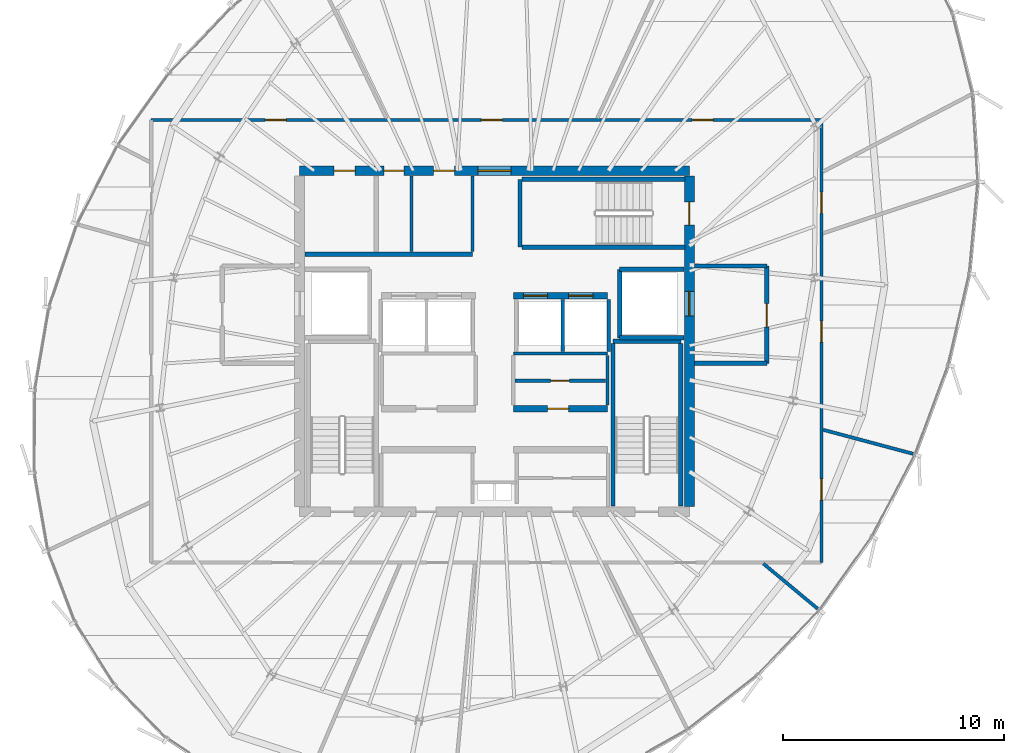
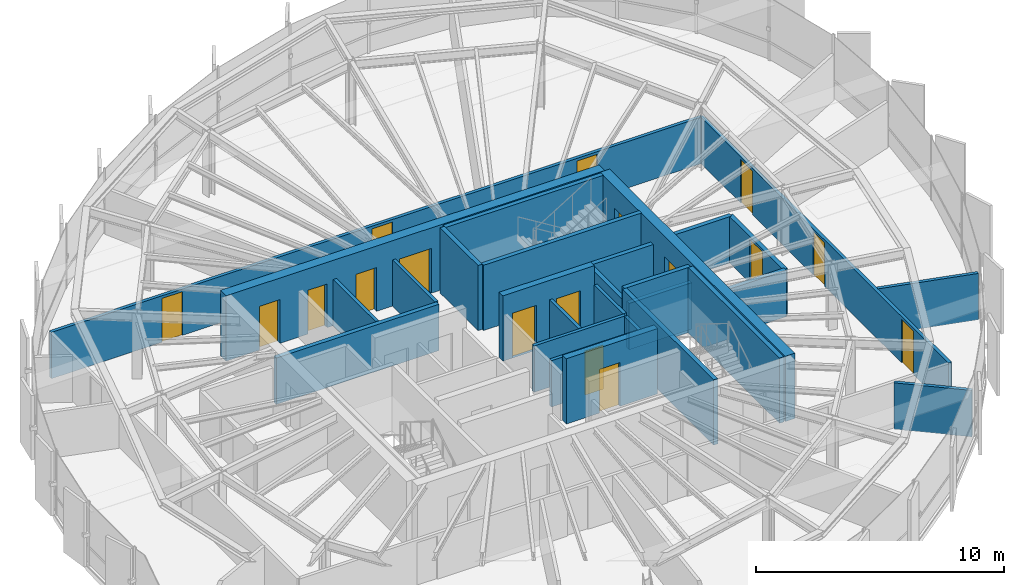
# One storey, part 28 of 33: 28 walls, 17 doors, 17 openings.
"""IFC4 building model written with IfcOpenShell, lengths in metres."""

from ifc_helpers import new_model, si_unit, direction, frame, frame_2d, origin, place, context, subcontext, project, spatial, rectangle, extrude, source, transform, mapped, material, layer, layer_set, type_object, element, fill, save


model = new_model("IFC4")

# Units and contexts
model_context = context("Model", 3, precision=1e-05, world=origin(), true_north=direction((0.0, 1.0)))
body_context = subcontext(model_context, "Body", "Model", "MODEL_VIEW")
ifc_project = project(units=[si_unit("LENGTHUNIT", "METRE"), si_unit("AREAUNIT", "SQUARE_METRE"), si_unit("VOLUMEUNIT", "CUBIC_METRE"), si_unit("PLANEANGLEUNIT", "RADIAN"), si_unit("MASSUNIT", "GRAM", prefix="KILO"), si_unit("THERMODYNAMICTEMPERATUREUNIT", "KELVIN")], contexts=[model_context])

# Site, building, storey
site_placement = place(None, origin())
site = spatial("IfcSite", under=ifc_project, at=site_placement, CompositionType="ELEMENT")
building_placement = place(site_placement, origin())
building = spatial("IfcBuilding", under=site, at=building_placement, Name="Kethvar Cultural Tower", CompositionType="ELEMENT")
storey_placement = place(building_placement, frame((0.0, 0.0, 238.75)))
storey = spatial("IfcBuildingStorey", under=building, at=storey_placement, Name="L62", CompositionType="ELEMENT", Elevation=238.75)

# Wall, openings, doors
ifc_material_1 = material(Name="Concrete C50/60", Category="concrete")
ifc_layer_1 = layer(ifc_material_1, 0.449951171875, Name="Concrete C50/60", Category="concrete")
ifc_layer_set_1 = layer_set([ifc_layer_1], Name="Concrete C50/60 (450 mm)")
wall_type_1 = type_object("IfcWallType", Name="WL-CORE-450", PredefinedType="SHEAR", material=ifc_layer_set_1)
wall_1_placement = place(storey_placement, frame((55.60009765625, 35.5, 0.0), z_axis=(0.0, 0.0, 1.0), x_axis=(-1.0, 0.0, 0.0)))
wall_1 = element("IfcWall", 1, at=wall_1_placement, inside=storey, type_object=wall_type_1, Name="L62 Core Shear Wall N", PredefinedType="SHEAR", context=body_context, shape_type="SweptSolid", body=[
    extrude(rectangle(XDim=17.60009765625, YDim=0.449951171875, at=frame_2d((8.800048828125, 0.0))), origin(), (0.0, 0.0, 1.0), 3.2099609375),
])
opening_1_placement = place(wall_1_placement, frame((8.050048828125, 0.0, 0.0)))
opening_1 = element("IfcOpeningElement", 2, at=opening_1_placement, cuts=wall_1, Name="Opening D-L62-LN", PredefinedType="OPENING", context=body_context, shape_type="SweptSolid", body=[
    extrude(rectangle(XDim=1.5, YDim=2.199951171875, at=frame_2d((0.75, 1.10009765625))), frame((0.0, 0.23486328125, 0.0), z_axis=(0.0, -1.0, 0.0), x_axis=(1.0, 0.0, 0.0)), (0.0, 0.0, 1.0), 0.469970703125),
])
opening_2_placement = place(wall_1_placement, frame((15.10009765625, 0.0, 0.0)))
opening_2 = element("IfcOpeningElement", 3, at=opening_2_placement, cuts=wall_1, Name="Opening D-L62-E1", PredefinedType="OPENING", context=body_context, shape_type="SweptSolid", body=[
    extrude(rectangle(XDim=0.949951171875, YDim=2.14990234375, at=frame_2d((0.47509765625, 1.074951171875))), frame((0.0, 0.23486328125, 0.0), z_axis=(0.0, -1.0, 0.0), x_axis=(1.0, 0.0, 0.0)), (0.0, 0.0, 1.0), 0.469970703125),
])
opening_3_placement = place(wall_1_placement, frame((12.89990234375, 0.0, 0.0)))
opening_3 = element("IfcOpeningElement", 4, at=opening_3_placement, cuts=wall_1, Name="Opening D-L62-W1", PredefinedType="OPENING", context=body_context, shape_type="SweptSolid", body=[
    extrude(rectangle(XDim=0.89990234375, YDim=2.14990234375, at=frame_2d((0.449951171875, 1.074951171875))), frame((0.0, 0.23486328125, 0.0), z_axis=(0.0, -1.0, 0.0), x_axis=(1.0, 0.0, 0.0)), (0.0, 0.0, 1.0), 0.469970703125),
])
opening_4_placement = place(wall_1_placement, frame((10.60009765625, 0.0, 0.0)))
opening_4 = element("IfcOpeningElement", 5, at=opening_4_placement, cuts=wall_1, Name="Opening D-L62-W2", PredefinedType="OPENING", context=body_context, shape_type="SweptSolid", body=[
    extrude(rectangle(XDim=0.949951171875, YDim=2.14990234375, at=frame_2d((0.47509765625, 1.074951171875))), frame((0.0, 0.23486328125, 0.0), z_axis=(0.0, -1.0, 0.0), x_axis=(1.0, 0.0, 0.0)), (0.0, 0.0, 1.0), 0.469970703125),
])
ifc_material_2 = material(Name="Architectural Oak Timber", Category="wood")
door_type_1 = type_object("IfcDoorType", Name="DR-DBL-FD60-1500", OperationType="DOUBLE_DOOR_SINGLE_SWING", PredefinedType="DOOR", material=ifc_material_2)
shared_shape_1 = source(origin(), body_context, "Body", "SweptSolid", [
    extrude(rectangle(XDim=1.5, YDim=2.199951171875, at=frame_2d((0.75, 1.10009765625))), frame((0.0, 0.02490234375, 0.0), z_axis=(0.0, -1.0, 0.0), x_axis=(1.0, 0.0, 0.0)), (0.0, 0.0, 1.0), 0.050048828125),
])
door_1_placement = place(opening_1_placement, origin())
door_1 = element("IfcDoor", 6, at=door_1_placement, inside=storey, type_object=door_type_1, Name="L62 Lift Lobby Concourse Door", OperationType="DOUBLE_DOOR_SINGLE_SWING", OverallHeight=2.199951171875, OverallWidth=1.5, PredefinedType="DOOR", context=body_context, shape_type="MappedRepresentation", body=[
    mapped(shared_shape_1, transform((0.0, 0.0, 0.0), scale=1.0)),
])
fill(opening_1, door_1)
door_type_2 = type_object("IfcDoorType", Name="DR-FD30-950", OperationType="NOTDEFINED", PredefinedType="DOOR", material=ifc_material_2)
shared_shape_2 = source(origin(), body_context, "Body", "SweptSolid", [
    extrude(rectangle(XDim=0.949951171875, YDim=2.14990234375, at=frame_2d((0.47509765625, 1.074951171875))), frame((0.0, 0.02490234375, 0.0), z_axis=(0.0, -1.0, 0.0), x_axis=(1.0, 0.0, 0.0)), (0.0, 0.0, 1.0), 0.050048828125),
])
door_2_placement = place(opening_2_placement, origin())
door_2 = element("IfcDoor", 7, at=door_2_placement, inside=storey, type_object=door_type_2, Name="L62 Electrical Switchgear Door", OperationType="SINGLE_SWING_RIGHT", OverallHeight=2.14990234375, OverallWidth=0.949951171875, PredefinedType="DOOR", context=body_context, shape_type="MappedRepresentation", body=[
    mapped(shared_shape_2, transform((0.0, 0.0, 0.0), scale=1.0)),
])
fill(opening_2, door_2)
door_3_placement = place(opening_4_placement, origin())
door_3 = element("IfcDoor", 8, at=door_3_placement, inside=storey, type_object=door_type_2, Name="L62 Public Washroom Door", OperationType="SINGLE_SWING_RIGHT", OverallHeight=2.14990234375, OverallWidth=0.949951171875, PredefinedType="DOOR", context=body_context, shape_type="MappedRepresentation", body=[
    mapped(shared_shape_2, transform((0.0, 0.0, 0.0), scale=1.0)),
])
fill(opening_4, door_3)
door_type_3 = type_object("IfcDoorType", Name="DR-FD30-900", OperationType="NOTDEFINED", PredefinedType="DOOR", material=ifc_material_2)
shared_shape_3 = source(origin(), body_context, "Body", "SweptSolid", [
    extrude(rectangle(XDim=0.89990234375, YDim=2.14990234375, at=frame_2d((0.449951171875, 1.074951171875))), frame((0.0, 0.02490234375, 0.0), z_axis=(0.0, -1.0, 0.0), x_axis=(1.0, 0.0, 0.0)), (0.0, 0.0, 1.0), 0.050048828125),
])
door_4_placement = place(opening_3_placement, origin())
door_4 = element("IfcDoor", 9, at=door_4_placement, inside=storey, type_object=door_type_3, Name="L62 Accessible Washroom Door", OperationType="SINGLE_SWING_LEFT", OverallHeight=2.14990234375, OverallWidth=0.89990234375, PredefinedType="DOOR", context=body_context, shape_type="MappedRepresentation", body=[
    mapped(shared_shape_3, transform((0.0, 0.0, 0.0), scale=1.0)),
])
fill(opening_3, door_4)

wall_2_placement = place(storey_placement, frame((55.60009765625, 20.340087890625, 0.0), z_axis=(0.0, 0.0, 1.0), x_axis=(0.0, 1.0, 0.0)))
wall_2 = element("IfcWall", 10, at=wall_2_placement, inside=storey, type_object=wall_type_1, Name="L62 Core Shear Wall E", PredefinedType="SHEAR", context=body_context, shape_type="SweptSolid", body=[
    extrude(rectangle(XDim=14.919921875, YDim=0.449951171875, at=frame_2d((7.4599609375, 0.0))), origin(), (0.0, 0.0, 1.0), 3.2099609375),
])
opening_5_placement = place(wall_2_placement, frame((12.7099609375, 0.0, 0.0)))
opening_5 = element("IfcOpeningElement", 11, at=opening_5_placement, cuts=wall_2, Name="Opening D-L62-S3", PredefinedType="OPENING", context=body_context, shape_type="SweptSolid", body=[
    extrude(rectangle(XDim=1.050048828125, YDim=2.14990234375, at=frame_2d((0.52490234375, 1.074951171875))), frame((0.0, 0.23486328125, 0.0), z_axis=(0.0, -1.0, 0.0), x_axis=(1.0, 0.0, 0.0)), (0.0, 0.0, 1.0), 0.469970703125),
])
opening_6_placement = place(wall_2_placement, frame((8.610107421875, 0.0, 0.0)))
opening_6 = element("IfcOpeningElement", 12, at=opening_6_placement, cuts=wall_2, Name="Opening LD-2", PredefinedType="OPENING", context=body_context, shape_type="SweptSolid", body=[
    extrude(rectangle(XDim=1.10009765625, YDim=2.199951171875, at=frame_2d((0.550048828125, 1.10009765625))), frame((0.0, 0.23486328125, 0.0), z_axis=(0.0, -1.0, 0.0), x_axis=(1.0, 0.0, 0.0)), (0.0, 0.0, 1.0), 0.469970703125),
])
ifc_material_3 = material(Name="Steel S355J2", Category="steel")
door_type_4 = type_object("IfcDoorType", Name="DR-FD60-1050", OperationType="NOTDEFINED", PredefinedType="DOOR", material=ifc_material_3)
shared_shape_4 = source(origin(), body_context, "Body", "SweptSolid", [
    extrude(rectangle(XDim=1.050048828125, YDim=2.14990234375, at=frame_2d((0.52490234375, 1.074951171875))), frame((0.0, 0.02490234375, 0.0), z_axis=(0.0, -1.0, 0.0), x_axis=(1.0, 0.0, 0.0)), (0.0, 0.0, 1.0), 0.050048828125),
])
door_5_placement = place(opening_5_placement, origin())
door_5 = element("IfcDoor", 13, at=door_5_placement, inside=storey, type_object=door_type_4, Name="L62 Exit Stair 3 Door", OperationType="SINGLE_SWING_LEFT", OverallHeight=2.14990234375, OverallWidth=1.050048828125, PredefinedType="DOOR", context=body_context, shape_type="MappedRepresentation", body=[
    mapped(shared_shape_4, transform((0.0, 0.0, 0.0), scale=1.0)),
])
fill(opening_5, door_5)
door_type_5 = type_object("IfcDoorType", Name="DR-LIFT-SLIDE-1100", OperationType="NOTDEFINED", PredefinedType="DOOR", material=ifc_material_3)
shared_shape_5 = source(origin(), body_context, "Body", "SweptSolid", [
    extrude(rectangle(XDim=1.10009765625, YDim=2.199951171875, at=frame_2d((0.550048828125, 1.10009765625))), frame((0.0, 0.02490234375, 0.0), z_axis=(0.0, -1.0, 0.0), x_axis=(1.0, 0.0, 0.0)), (0.0, 0.0, 1.0), 0.050048828125),
])
door_6_placement = place(opening_6_placement, origin())
door_6 = element("IfcDoor", 14, at=door_6_placement, inside=storey, type_object=door_type_5, Name="L62 Firefighting Lift Landing Door FFL-02", OperationType="SLIDING_TO_RIGHT", OverallHeight=2.199951171875, OverallWidth=1.10009765625, PredefinedType="DOOR", context=body_context, shape_type="MappedRepresentation", body=[
    mapped(shared_shape_5, transform((0.0, 0.0, 0.0), scale=1.0)),
])
fill(opening_6, door_6)

# Walls
ifc_material_4 = material(Name="Gypsum Fireboard Partition")
ifc_layer_2 = layer(ifc_material_4, 0.14990234375, Name="Gypsum Fireboard Partition")
ifc_layer_set_2 = layer_set([ifc_layer_2], Name="Gypsum Fireboard Partition (150 mm)")
wall_type_2 = type_object("IfcWallType", Name="WL-FIRE-150", PredefinedType="PARTITIONING", material=ifc_layer_set_2)
wall_3_placement = place(storey_placement, frame((47.64990234375, 27.25, 0.0), z_axis=(0.0, 0.0, 1.0), x_axis=(1.0, 0.0, 0.0)))
element("IfcWall", 15, at=wall_3_placement, inside=storey, type_object=wall_type_2, Name="L62 Reclaimed Mid Wall E", PredefinedType="PARTITIONING", context=body_context, shape_type="SweptSolid", body=[
    extrude(rectangle(XDim=4.25, YDim=0.14990234375, at=frame_2d((2.125, 0.0))), origin(), (0.0, 0.0, 1.0), 2.280029296875),
])
wall_4_placement = place(storey_placement, frame((51.89990234375, 24.919921875, 0.0), z_axis=(0.0, 0.0, 1.0), x_axis=(0.0, 1.0, 0.0)))
element("IfcWall", 16, at=wall_4_placement, inside=storey, type_object=wall_type_2, Name="L62 Reclaimed Mid Outer E", PredefinedType="PARTITIONING", context=body_context, shape_type="SweptSolid", body=[
    extrude(rectangle(XDim=2.239990234375, YDim=0.14990234375, at=frame_2d((1.1201171875, 0.0))), origin(), (0.0, 0.0, 1.0), 2.280029296875),
])

# Wall, opening, door
wall_5_placement = place(storey_placement, frame((47.72998046875, 26.010009765625, 0.0), z_axis=(0.0, 0.0, 1.0), x_axis=(1.0, 0.0, 0.0)))
wall_5 = element("IfcWall", 17, at=wall_5_placement, inside=storey, type_object=wall_type_2, Name="L62 Mid Gallery Wall E", PredefinedType="PARTITIONING", context=body_context, shape_type="SweptSolid", body=[
    extrude(rectangle(XDim=4.090087890625, YDim=0.14990234375, at=frame_2d((2.044921875, 0.0))), origin(), (0.0, 0.0, 1.0), 2.280029296875),
])
opening_7_placement = place(wall_5_placement, frame((1.60009765625, 0.0, 0.0)))
opening_7 = element("IfcOpeningElement", 18, at=opening_7_placement, cuts=wall_5, Name="Opening D-L62-M3", PredefinedType="OPENING", context=body_context, shape_type="SweptSolid", body=[
    extrude(rectangle(XDim=0.85009765625, YDim=2.14990234375, at=frame_2d((0.425048828125, 1.074951171875))), frame((0.0, 0.0849609375, 0.0), z_axis=(0.0, -1.0, 0.0), x_axis=(1.0, 0.0, 0.0)), (0.0, 0.0, 1.0), 0.169921875),
])
door_type_6 = type_object("IfcDoorType", Name="DR-FD30-850", OperationType="NOTDEFINED", PredefinedType="DOOR", material=ifc_material_3)
shared_shape_6 = source(origin(), body_context, "Body", "SweptSolid", [
    extrude(rectangle(XDim=0.85009765625, YDim=2.14990234375, at=frame_2d((0.425048828125, 1.074951171875))), frame((0.0, 0.02490234375, 0.0), z_axis=(0.0, -1.0, 0.0), x_axis=(1.0, 0.0, 0.0)), (0.0, 0.0, 1.0), 0.050048828125),
])
door_7_placement = place(opening_7_placement, origin())
door_7 = element("IfcDoor", 19, at=door_7_placement, inside=storey, type_object=door_type_6, Name="L62 UPS Inner Door", OperationType="SINGLE_SWING_RIGHT", OverallHeight=2.14990234375, OverallWidth=0.85009765625, PredefinedType="DOOR", context=body_context, shape_type="MappedRepresentation", body=[
    mapped(shared_shape_6, transform((0.0, 0.0, 0.0), scale=1.0)),
])
fill(opening_7, door_7)

# Walls
for number, where, z_axis, x_axis, name in (
    (20, (49.875, 27.340087890625, 0.0), (0.0, 0.0, 1.0), (0.0, 1.0, 0.0), "L62 High-Rise Lift Shaft Divider E"),
    (21, (51.949951171875, 27.340087890625, 0.0), (0.0, 0.0, 1.0), (0.0, 1.0, 0.0), "L62 High-Rise Lift Shaft Outer Wall E"),
):
    element("IfcWall", number, at=place(storey_placement, frame(where, z_axis=z_axis, x_axis=x_axis)), inside=storey, type_object=wall_type_2, Name=name, PredefinedType="PARTITIONING", context=body_context, shape_type="SweptSolid", body=[
        extrude(rectangle(XDim=2.33984375, YDim=0.14990234375, at=frame_2d((1.169921875, 0.0))), origin(), (0.0, 0.0, 1.0), 2.280029296875),
    ])
wall_6_placement = place(storey_placement, frame((45.800048828125, 31.85009765625, 0.0), z_axis=(0.0, 0.0, 1.0), x_axis=(0.0, 1.0, 0.0)))
element("IfcWall", 22, at=wall_6_placement, inside=storey, type_object=wall_type_2, Name="L62 Sanitary Spine Wall", PredefinedType="PARTITIONING", context=body_context, shape_type="SweptSolid", body=[
    extrude(rectangle(XDim=3.414794921875, YDim=0.14990234375, at=frame_2d((1.70751953125, 0.0))), origin(), (0.0, 0.0, 1.0), 2.280029296875),
])

# Wall, openings, doors
wall_7_placement = place(storey_placement, frame((61.56396484375, 17.806884765625, 0.0), z_axis=(0.0, 0.0, 1.0), x_axis=(0.0, 1.0, 0.0)))
wall_7 = element("IfcWall", 23, at=wall_7_placement, inside=storey, type_object=wall_type_2, Name="L62 Corridor Rated Wall E", PredefinedType="PARTITIONING", context=body_context, shape_type="SweptSolid", body=[
    extrude(rectangle(XDim=19.986083984375, YDim=0.14990234375, at=frame_2d((9.9931640625, 0.0))), origin(), (0.0, 0.0, 1.0), 2.280029296875),
])
opening_8_placement = place(wall_7_placement, frame((2.822509765625, 0.0, 0.0)))
opening_8 = element("IfcOpeningElement", 24, at=opening_8_placement, cuts=wall_7, Name="Opening D-L62-05", PredefinedType="OPENING", context=body_context, shape_type="SweptSolid", body=[
    extrude(rectangle(XDim=0.949951171875, YDim=2.14990234375, at=frame_2d((0.47509765625, 1.074951171875))), frame((0.0, 0.0849609375, 0.0), z_axis=(0.0, -1.0, 0.0), x_axis=(1.0, 0.0, 0.0)), (0.0, 0.0, 1.0), 0.169921875),
])
opening_9_placement = place(wall_7_placement, frame((9.95703125, 0.0, 0.0)))
opening_9 = element("IfcOpeningElement", 25, at=opening_9_placement, cuts=wall_7, Name="Opening D-L62-06", PredefinedType="OPENING", context=body_context, shape_type="SweptSolid", body=[
    extrude(rectangle(XDim=0.949951171875, YDim=2.14990234375, at=frame_2d((0.47509765625, 1.074951171875))), frame((0.0, 0.0849609375, 0.0), z_axis=(0.0, -1.0, 0.0), x_axis=(1.0, 0.0, 0.0)), (0.0, 0.0, 1.0), 0.169921875),
])
opening_10_placement = place(wall_7_placement, frame((15.774169921875, 0.0, 0.0)))
opening_10 = element("IfcOpeningElement", 26, at=opening_10_placement, cuts=wall_7, Name="Opening D-L62-07", PredefinedType="OPENING", context=body_context, shape_type="SweptSolid", body=[
    extrude(rectangle(XDim=0.949951171875, YDim=2.14990234375, at=frame_2d((0.47509765625, 1.074951171875))), frame((0.0, 0.0849609375, 0.0), z_axis=(0.0, -1.0, 0.0), x_axis=(1.0, 0.0, 0.0)), (0.0, 0.0, 1.0), 0.169921875),
])
door_8_placement = place(opening_8_placement, origin())
door_8 = element("IfcDoor", 27, at=door_8_placement, inside=storey, type_object=door_type_2, Name="L62 Curatorial Administration Office 05 Door", OperationType="SINGLE_SWING_LEFT", OverallHeight=2.14990234375, OverallWidth=0.949951171875, PredefinedType="DOOR", context=body_context, shape_type="MappedRepresentation", body=[
    mapped(shared_shape_2, transform((0.0, 0.0, 0.0), scale=1.0)),
])
fill(opening_8, door_8)
door_9_placement = place(opening_9_placement, origin())
door_9 = element("IfcDoor", 28, at=door_9_placement, inside=storey, type_object=door_type_2, Name="L62 Compact Archival Store 06 Door", OperationType="SINGLE_SWING_RIGHT", OverallHeight=2.14990234375, OverallWidth=0.949951171875, PredefinedType="DOOR", context=body_context, shape_type="MappedRepresentation", body=[
    mapped(shared_shape_2, transform((0.0, 0.0, 0.0), scale=1.0)),
])
fill(opening_9, door_9)
door_10_placement = place(opening_10_placement, origin())
door_10 = element("IfcDoor", 29, at=door_10_placement, inside=storey, type_object=door_type_2, Name="L62 Rare Folio Storage 07 Door", OperationType="SINGLE_SWING_LEFT", OverallHeight=2.14990234375, OverallWidth=0.949951171875, PredefinedType="DOOR", context=body_context, shape_type="MappedRepresentation", body=[
    mapped(shared_shape_2, transform((0.0, 0.0, 0.0), scale=1.0)),
])
fill(opening_10, door_10)

wall_8_placement = place(storey_placement, frame((61.56396484375, 37.79296875, 0.0), z_axis=(0.0, 0.0, 1.0), x_axis=(-1.0, 0.0, 0.0)))
wall_8 = element("IfcWall", 30, at=wall_8_placement, inside=storey, type_object=wall_type_2, Name="L62 Corridor Rated Wall N", PredefinedType="PARTITIONING", context=body_context, shape_type="SweptSolid", body=[
    extrude(rectangle(XDim=30.27392578125, YDim=0.14990234375, at=frame_2d((15.136962890625, 0.0))), origin(), (0.0, 0.0, 1.0), 2.280029296875),
])
opening_11_placement = place(wall_8_placement, frame((4.89404296875, 0.0, 0.0)))
opening_11 = element("IfcOpeningElement", 31, at=opening_11_placement, cuts=wall_8, Name="Opening D-L62-08", PredefinedType="OPENING", context=body_context, shape_type="SweptSolid", body=[
    extrude(rectangle(XDim=0.949951171875, YDim=2.14990234375, at=frame_2d((0.47509765625, 1.074951171875))), frame((0.0, 0.0849609375, 0.0), z_axis=(0.0, -1.0, 0.0), x_axis=(1.0, 0.0, 0.0)), (0.0, 0.0, 1.0), 0.169921875),
])
opening_12_placement = place(wall_8_placement, frame((14.41162109375, 0.0, 0.0)))
opening_12 = element("IfcOpeningElement", 32, at=opening_12_placement, cuts=wall_8, Name="Opening D-L62-09", PredefinedType="OPENING", context=body_context, shape_type="SweptSolid", body=[
    extrude(rectangle(XDim=0.949951171875, YDim=2.14990234375, at=frame_2d((0.47509765625, 1.074951171875))), frame((0.0, 0.0849609375, 0.0), z_axis=(0.0, -1.0, 0.0), x_axis=(1.0, 0.0, 0.0)), (0.0, 0.0, 1.0), 0.169921875),
])
opening_13_placement = place(wall_8_placement, frame((24.177978515625, 0.0, 0.0)))
opening_13 = element("IfcOpeningElement", 33, at=opening_13_placement, cuts=wall_8, Name="Opening D-L62-10", PredefinedType="OPENING", context=body_context, shape_type="SweptSolid", body=[
    extrude(rectangle(XDim=0.949951171875, YDim=2.14990234375, at=frame_2d((0.47509765625, 1.074951171875))), frame((0.0, 0.0849609375, 0.0), z_axis=(0.0, -1.0, 0.0), x_axis=(1.0, 0.0, 0.0)), (0.0, 0.0, 1.0), 0.169921875),
])
door_11_placement = place(opening_11_placement, origin())
door_11 = element("IfcDoor", 34, at=door_11_placement, inside=storey, type_object=door_type_2, Name="L62 Docent Espresso Pantry 08 Door", OperationType="SINGLE_SWING_RIGHT", OverallHeight=2.14990234375, OverallWidth=0.949951171875, PredefinedType="DOOR", context=body_context, shape_type="MappedRepresentation", body=[
    mapped(shared_shape_2, transform((0.0, 0.0, 0.0), scale=1.0)),
])
fill(opening_11, door_11)
door_12_placement = place(opening_12_placement, origin())
door_12 = element("IfcDoor", 35, at=door_12_placement, inside=storey, type_object=door_type_2, Name="L62 Scholars' Study Lounge 09 Door", OperationType="SINGLE_SWING_LEFT", OverallHeight=2.14990234375, OverallWidth=0.949951171875, PredefinedType="DOOR", context=body_context, shape_type="MappedRepresentation", body=[
    mapped(shared_shape_2, transform((0.0, 0.0, 0.0), scale=1.0)),
])
fill(opening_12, door_12)
door_13_placement = place(opening_13_placement, origin())
door_13 = element("IfcDoor", 36, at=door_13_placement, inside=storey, type_object=door_type_2, Name="L62 Curatorial Concierge Foyer 10 Door", OperationType="SINGLE_SWING_RIGHT", OverallHeight=2.14990234375, OverallWidth=0.949951171875, PredefinedType="DOOR", context=body_context, shape_type="MappedRepresentation", body=[
    mapped(shared_shape_2, transform((0.0, 0.0, 0.0), scale=1.0)),
])
fill(opening_13, door_13)

# Walls
ifc_material_5 = material(Name="Concrete C40/50", Category="concrete")
ifc_layer_3 = layer(ifc_material_5, 0.199951171875, Name="Concrete C40/50", Category="concrete")
ifc_layer_set_3 = layer_set([ifc_layer_3], Name="Concrete C40/50 (200 mm)")
wall_type_3 = type_object("IfcWallType", Name="WL-FIRE-200", PredefinedType="PARTITIONING", material=ifc_layer_set_3)
wall_9_placement = place(storey_placement, frame((52.449951171875, 27.949951171875, 0.0), z_axis=(0.0, 0.0, 1.0), x_axis=(0.0, 1.0, 0.0)))
element("IfcWall", 37, at=wall_9_placement, inside=storey, type_object=wall_type_3, Name="L62 FFL-02 Shaft Inner Wall", PredefinedType="PARTITIONING", context=body_context, shape_type="SweptSolid", body=[
    extrude(rectangle(XDim=3.10009765625, YDim=0.199951171875, at=frame_2d((1.550048828125, 0.0))), origin(), (0.0, 0.0, 1.0), 2.280029296875),
])
for number, where, z_axis, x_axis, name in (
    (38, (52.449951171875, 27.949951171875, 0.0), (0.0, 0.0, 1.0), (1.0, 0.0, 0.0), "L62 FFL-02 Shaft South Wall"),
    (39, (52.449951171875, 31.050048828125, 0.0), (0.0, 0.0, 1.0), (1.0, 0.0, 0.0), "L62 FFL-02 Shaft North Wall"),
):
    element("IfcWall", number, at=place(storey_placement, frame(where, z_axis=z_axis, x_axis=x_axis)), inside=storey, type_object=wall_type_3, Name=name, PredefinedType="PARTITIONING", context=body_context, shape_type="SweptSolid", body=[
        extrude(rectangle(XDim=2.9150390625, YDim=0.199951171875, at=frame_2d((1.45751953125, 0.0))), origin(), (0.0, 0.0, 1.0), 2.280029296875),
    ])

# Wall, opening, door
wall_10_placement = place(storey_placement, frame((59.10009765625, 26.800048828125, 0.0), z_axis=(0.0, 0.0, 1.0), x_axis=(0.0, 1.0, 0.0)))
wall_10 = element("IfcWall", 40, at=wall_10_placement, inside=storey, type_object=wall_type_3, Name="L62 Firefighting Lobby 2 Wall", PredefinedType="PARTITIONING", context=body_context, shape_type="SweptSolid", body=[
    extrude(rectangle(XDim=4.39990234375, YDim=0.199951171875, at=frame_2d((2.199951171875, 0.0))), origin(), (0.0, 0.0, 1.0), 2.280029296875),
])
opening_14_placement = place(wall_10_placement, frame((1.64990234375, 0.0, 0.0)))
opening_14 = element("IfcOpeningElement", 41, at=opening_14_placement, cuts=wall_10, Name="Opening D-L62-F2", PredefinedType="OPENING", context=body_context, shape_type="SweptSolid", body=[
    extrude(rectangle(XDim=1.050048828125, YDim=2.14990234375, at=frame_2d((0.52490234375, 1.074951171875))), frame((0.0, 0.10986328125, 0.0), z_axis=(0.0, -1.0, 0.0), x_axis=(1.0, 0.0, 0.0)), (0.0, 0.0, 1.0), 0.219970703125),
])
door_14_placement = place(opening_14_placement, origin())
door_14 = element("IfcDoor", 42, at=door_14_placement, inside=storey, type_object=door_type_4, Name="L62 Firefighting Lobby 2 Fire Door", OperationType="SINGLE_SWING_LEFT", OverallHeight=2.14990234375, OverallWidth=1.050048828125, PredefinedType="DOOR", context=body_context, shape_type="MappedRepresentation", body=[
    mapped(shared_shape_4, transform((0.0, 0.0, 0.0), scale=1.0)),
])
fill(opening_14, door_14)

# Walls
for number, where, z_axis, x_axis, name in (
    (43, (55.8349609375, 26.800048828125, 0.0), (0.0, 0.0, 1.0), (1.0, 0.0, 0.0), "L62 FF Lobby 2 South Wall"),
    (44, (55.8349609375, 31.199951171875, 0.0), (0.0, 0.0, 1.0), (1.0, 0.0, 0.0), "L62 FF Lobby 2 North Wall"),
):
    element("IfcWall", number, at=place(storey_placement, frame(where, z_axis=z_axis, x_axis=x_axis)), inside=storey, type_object=wall_type_3, Name=name, PredefinedType="PARTITIONING", context=body_context, shape_type="SweptSolid", body=[
        extrude(rectangle(XDim=3.26513671875, YDim=0.199951171875, at=frame_2d((1.632568359375, 0.0))), origin(), (0.0, 0.0, 1.0), 2.280029296875),
    ])
wall_11_placement = place(storey_placement, frame((38.235107421875, 31.72998046875, 0.0), z_axis=(0.0, 0.0, 1.0), x_axis=(1.0, 0.0, 0.0)))
element("IfcWall", 45, at=wall_11_placement, inside=storey, type_object=wall_type_3, Name="L62 North Core Sanitary South Wall", PredefinedType="PARTITIONING", context=body_context, shape_type="SweptSolid", body=[
    extrude(rectangle(XDim=7.56494140625, YDim=0.199951171875, at=frame_2d((3.782470703125, 0.0))), origin(), (0.0, 0.0, 1.0), 2.280029296875),
])
ifc_material_6 = material(Name="Gypsum Acoustic Partition")
ifc_layer_4 = layer(ifc_material_6, 0.14990234375, Name="Gypsum Acoustic Partition")
ifc_layer_set_4 = layer_set([ifc_layer_4], Name="Gypsum Acoustic Partition (150 mm)")
wall_type_4 = type_object("IfcWallType", Name="WL-PART-150", PredefinedType="PARTITIONING", material=ifc_layer_set_4)
wall_12_placement = place(storey_placement, frame((58.94091796875, 17.755859375, 0.0), z_axis=(0.0, 0.0, 1.0), x_axis=(0.769180531138, -0.639031541098, 0.0)))
element("IfcWall", 46, at=wall_12_placement, inside=storey, type_object=wall_type_4, Name="L62 Radial Partition Wall 05", PredefinedType="PARTITIONING", context=body_context, shape_type="SweptSolid", body=[
    extrude(rectangle(XDim=3.18896484375, YDim=0.14990234375, at=frame_2d((1.594482421875, 0.0))), origin(), (0.0, 0.0, 1.0), 2.280029296875),
])
wall_13_placement = place(storey_placement, frame((61.641357421875, 23.801513671875, 0.0), z_axis=(0.0, 0.0, 1.0), x_axis=(0.966112425525, -0.258121640407, 0.0)))
element("IfcWall", 47, at=wall_13_placement, inside=storey, type_object=wall_type_4, Name="L62 Radial Partition Wall 06", PredefinedType="PARTITIONING", context=body_context, shape_type="SweptSolid", body=[
    extrude(rectangle(XDim=4.204345703125, YDim=0.14990234375, at=frame_2d((2.10205078125, 0.0))), origin(), (0.0, 0.0, 1.0), 2.280029296875),
])
ifc_material_7 = material(Name="Moisture-Resistant Sanitary Chase Wall")
ifc_layer_5 = layer(ifc_material_7, 0.14990234375, Name="Moisture-Resistant Sanitary Chase Wall")
ifc_layer_set_5 = layer_set([ifc_layer_5], Name="Moisture-Resistant Sanitary Chase Wall (150 mm)")
wall_type_5 = type_object("IfcWallType", Name="WL-PLUMB-150", PredefinedType="PLUMBINGWALL", material=ifc_layer_set_5)
wall_14_placement = place(storey_placement, frame((43.050048828125, 31.85009765625, 0.0), z_axis=(0.0, 0.0, 1.0), x_axis=(0.0, 1.0, 0.0)))
element("IfcWall", 48, at=wall_14_placement, inside=storey, type_object=wall_type_5, Name="L62 Sanitary Plumbing Wall", PredefinedType="PLUMBINGWALL", context=body_context, shape_type="SweptSolid", body=[
    extrude(rectangle(XDim=3.414794921875, YDim=0.14990234375, at=frame_2d((1.70751953125, 0.0))), origin(), (0.0, 0.0, 1.0), 2.280029296875),
])

# Wall, opening, door
ifc_layer_6 = layer(ifc_material_1, 0.300048828125, Name="Concrete C50/60", Category="concrete")
ifc_layer_set_6 = layer_set([ifc_layer_6], Name="Concrete C50/60 (300 mm)")
wall_type_6 = type_object("IfcWallType", Name="WL-SHAFT-300", PredefinedType="SHEAR", material=ifc_layer_set_6)
wall_15_placement = place(storey_placement, frame((47.64990234375, 24.75, 0.0), z_axis=(0.0, 0.0, 1.0), x_axis=(1.0, 0.0, 0.0)))
wall_15 = element("IfcWall", 49, at=wall_15_placement, inside=storey, type_object=wall_type_6, Name="L62 Core Lift Spine Wall MID2E", PredefinedType="SHEAR", context=body_context, shape_type="SweptSolid", body=[
    extrude(rectangle(XDim=4.25, YDim=0.300048828125, at=frame_2d((2.125, 0.0))), origin(), (0.0, 0.0, 1.0), 3.2099609375),
])
opening_15_placement = place(wall_15_placement, frame((1.550048828125, 0.0, 0.0)))
opening_15 = element("IfcOpeningElement", 50, at=opening_15_placement, cuts=wall_15, Name="Opening D-L62-M2", PredefinedType="OPENING", context=body_context, shape_type="SweptSolid", body=[
    extrude(rectangle(XDim=0.949951171875, YDim=2.14990234375, at=frame_2d((0.47509765625, 1.074951171875))), frame((0.0, 0.159912109375, 0.0), z_axis=(0.0, -1.0, 0.0), x_axis=(1.0, 0.0, 0.0)), (0.0, 0.0, 1.0), 0.320068359375),
])
door_15_placement = place(opening_15_placement, origin())
door_15 = element("IfcDoor", 51, at=door_15_placement, inside=storey, type_object=door_type_2, Name="L62 UPS Closet Door", OperationType="SINGLE_SWING_RIGHT", OverallHeight=2.14990234375, OverallWidth=0.949951171875, PredefinedType="DOOR", context=body_context, shape_type="MappedRepresentation", body=[
    mapped(shared_shape_2, transform((0.0, 0.0, 0.0), scale=1.0)),
])
fill(opening_15, door_15)

# Wall, openings, doors
wall_16_placement = place(storey_placement, frame((47.64990234375, 29.85009765625, 0.0), z_axis=(0.0, 0.0, 1.0), x_axis=(1.0, 0.0, 0.0)))
wall_16 = element("IfcWall", 52, at=wall_16_placement, inside=storey, type_object=wall_type_6, Name="L62 Core Lift Spine Wall MID3E", PredefinedType="SHEAR", context=body_context, shape_type="SweptSolid", body=[
    extrude(rectangle(XDim=4.25, YDim=0.300048828125, at=frame_2d((2.125, 0.0))), origin(), (0.0, 0.0, 1.0), 3.2099609375),
])
opening_16_placement = place(wall_16_placement, frame((0.449951171875, 0.0, 0.0)))
opening_16 = element("IfcOpeningElement", 53, at=opening_16_placement, cuts=wall_16, Name="Opening LD-H3", PredefinedType="OPENING", context=body_context, shape_type="SweptSolid", body=[
    extrude(rectangle(XDim=1.10009765625, YDim=2.199951171875, at=frame_2d((0.550048828125, 1.10009765625))), frame((0.0, 0.159912109375, 0.0), z_axis=(0.0, -1.0, 0.0), x_axis=(1.0, 0.0, 0.0)), (0.0, 0.0, 1.0), 0.320068359375),
])
opening_17_placement = place(wall_16_placement, frame((2.5, 0.0, 0.0)))
opening_17 = element("IfcOpeningElement", 54, at=opening_17_placement, cuts=wall_16, Name="Opening LD-H4", PredefinedType="OPENING", context=body_context, shape_type="SweptSolid", body=[
    extrude(rectangle(XDim=1.10009765625, YDim=2.199951171875, at=frame_2d((0.550048828125, 1.10009765625))), frame((0.0, 0.159912109375, 0.0), z_axis=(0.0, -1.0, 0.0), x_axis=(1.0, 0.0, 0.0)), (0.0, 0.0, 1.0), 0.320068359375),
])
door_16_placement = place(opening_16_placement, origin())
door_16 = element("IfcDoor", 55, at=door_16_placement, inside=storey, type_object=door_type_5, Name="L62 High-Rise Lift Landing Door H3", OperationType="SLIDING_TO_LEFT", OverallHeight=2.199951171875, OverallWidth=1.10009765625, PredefinedType="DOOR", context=body_context, shape_type="MappedRepresentation", body=[
    mapped(shared_shape_5, transform((0.0, 0.0, 0.0), scale=1.0)),
])
fill(opening_16, door_16)
door_17_placement = place(opening_17_placement, origin())
door_17 = element("IfcDoor", 56, at=door_17_placement, inside=storey, type_object=door_type_5, Name="L62 High-Rise Lift Landing Door H4", OperationType="SLIDING_TO_LEFT", OverallHeight=2.199951171875, OverallWidth=1.10009765625, PredefinedType="DOOR", context=body_context, shape_type="MappedRepresentation", body=[
    mapped(shared_shape_5, transform((0.0, 0.0, 0.0), scale=1.0)),
])
fill(opening_17, door_17)

# Walls
ifc_layer_7 = layer(ifc_material_1, 0.199951171875, Name="Concrete C50/60", Category="concrete")
ifc_layer_set_7 = layer_set([ifc_layer_7], Name="Concrete C50/60 (200 mm)")
wall_type_7 = type_object("IfcWallType", Name="WL-STSHAFT-200", PredefinedType="SHEAR", material=ifc_layer_set_7)
wall_17_placement = place(storey_placement, frame((52.14990234375, 27.800048828125, 0.0), z_axis=(0.0, 0.0, 1.0), x_axis=(1.0, 0.0, 0.0)))
element("IfcWall", 57, at=wall_17_placement, inside=storey, type_object=wall_type_7, Name="L62 ST-02 Stair Shaft Wall FAR", PredefinedType="SHEAR", context=body_context, shape_type="SweptSolid", body=[
    extrude(rectangle(XDim=3.06005859375, YDim=0.199951171875, at=frame_2d((1.530029296875, 0.0))), origin(), (0.0, 0.0, 1.0), 3.2099609375),
])
for number, where, z_axis, x_axis, name in (
    (58, (55.2099609375, 27.699951171875, 0.0), (0.0, 0.0, 1.0), (0.0, -1.0, 0.0), "L62 ST-02 Stair Shaft Wall LEFT"),
    (59, (52.14990234375, 20.35009765625, 0.0), (0.0, 0.0, 1.0), (0.0, 1.0, 0.0), "L62 ST-02 Stair Shaft Wall RIGHT"),
):
    element("IfcWall", number, at=place(storey_placement, frame(where, z_axis=z_axis, x_axis=x_axis)), inside=storey, type_object=wall_type_7, Name=name, PredefinedType="SHEAR", context=body_context, shape_type="SweptSolid", body=[
        extrude(rectangle(XDim=7.349853515625, YDim=0.199951171875, at=frame_2d((3.6748046875, 0.0))), origin(), (0.0, 0.0, 1.0), 3.2099609375),
    ])
wall_18_placement = place(storey_placement, frame((47.949951171875, 32.050048828125, 0.0), z_axis=(0.0, 0.0, 1.0), x_axis=(0.0, 1.0, 0.0)))
element("IfcWall", 60, at=wall_18_placement, inside=storey, type_object=wall_type_7, Name="L62 ST-03 Stair Shaft Wall FAR", PredefinedType="SHEAR", context=body_context, shape_type="SweptSolid", body=[
    extrude(rectangle(XDim=3.06005859375, YDim=0.199951171875, at=frame_2d((1.530029296875, 0.0))), origin(), (0.0, 0.0, 1.0), 3.2099609375),
])
for number, where, z_axis, x_axis, name in (
    (61, (48.050048828125, 35.110107421875, 0.0), (0.0, 0.0, 1.0), (1.0, 0.0, 0.0), "L62 ST-03 Stair Shaft Wall LEFT"),
    (62, (55.39990234375, 32.050048828125, 0.0), (0.0, 0.0, 1.0), (-1.0, 0.0, 0.0), "L62 ST-03 Stair Shaft Wall RIGHT"),
):
    element("IfcWall", number, at=place(storey_placement, frame(where, z_axis=z_axis, x_axis=x_axis)), inside=storey, type_object=wall_type_7, Name=name, PredefinedType="SHEAR", context=body_context, shape_type="SweptSolid", body=[
        extrude(rectangle(XDim=7.349853515625, YDim=0.199951171875, at=frame_2d((3.6748046875, 0.0))), origin(), (0.0, 0.0, 1.0), 3.2099609375),
    ])

save(model, "model.ifc")
